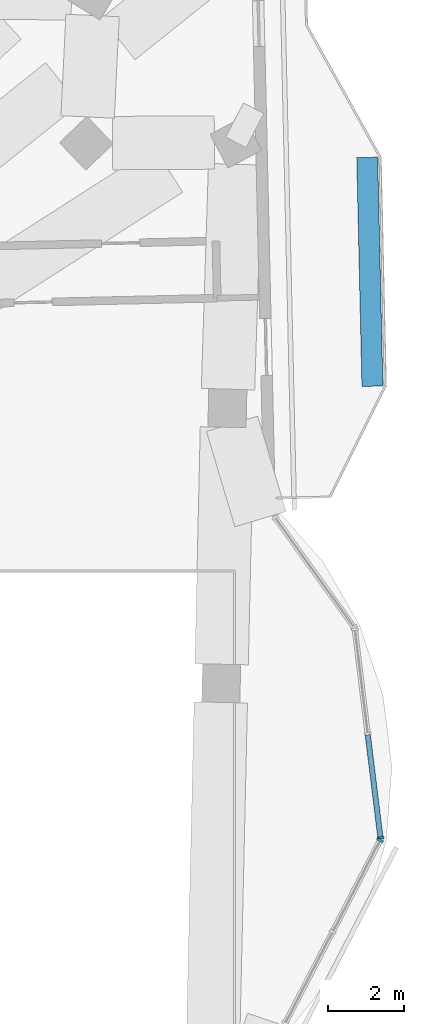
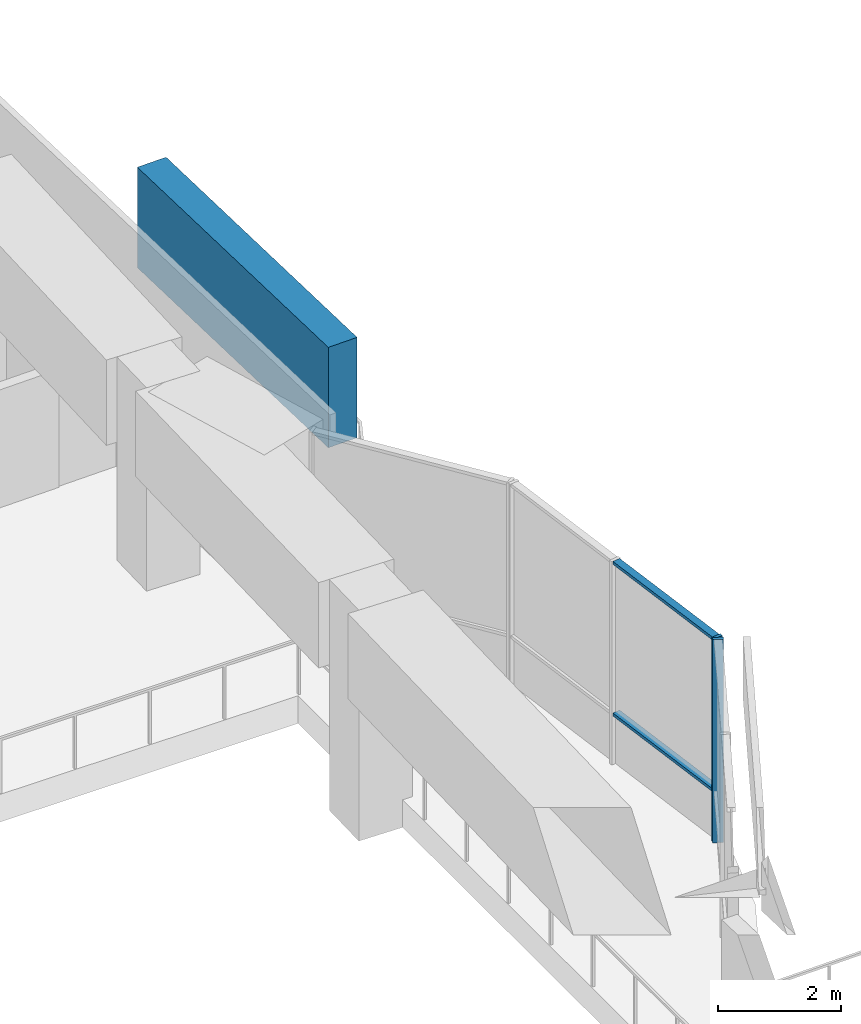
# One storey, part 9 of 21: 5 members, 2 elements without a shape of their own.
"""IFC4 building model written with IfcOpenShell, lengths in metres."""

from ifc_helpers import new_model, si_unit, direction, frame, origin, origin_2d, place, context, subcontext, project, spatial, rectangle, extrude, material, material_profile, profile_set, type_object, element, aggregate, save


model = new_model("IFC4")

# Units and contexts
model_context = context("Model", 3, precision=1e-05, world=origin(), true_north=direction((0.0, 1.0)))
body_context = subcontext(model_context, "Body", "Model", "MODEL_VIEW")
ifc_project = project(units=[si_unit("LENGTHUNIT", "METRE"), si_unit("AREAUNIT", "SQUARE_METRE"), si_unit("VOLUMEUNIT", "CUBIC_METRE"), si_unit("PLANEANGLEUNIT", "RADIAN"), si_unit("MASSUNIT", "GRAM", prefix="KILO")], contexts=[model_context])

# Site, building, storey
site_placement = place(None, origin())
site = spatial("IfcSite", under=ifc_project, at=site_placement, CompositionType="ELEMENT")
building_placement = place(site_placement, origin())
building = spatial("IfcBuilding", under=site, at=building_placement, Name="Mangrove Gate Tower", CompositionType="ELEMENT")
storey_placement = place(building_placement, frame((0.0, 0.0, 275.300048828125)))
storey = spatial("IfcBuildingStorey", under=building, at=storey_placement, Name="L70", CompositionType="ELEMENT", Elevation=275.300048828125)

# Member
ifc_material_1 = material(Name="Planting on aluminium trellis", Category="aluminium")
ifc_material_profile_1 = material_profile(ifc_material_1, rectangle(XDim=0.550048828125, YDim=2.0, at=origin_2d()))
ifc_profile_set_1 = profile_set([ifc_material_profile_1], Name="Planting on aluminium trellis")
member_type_1 = type_object("IfcMemberType", Name="Balcony greenery screen 550x2000", PredefinedType="USERDEFINED", material=ifc_profile_set_1)
member_1_placement = place(storey_placement, frame((33.548095703125, 12.3779296875, 1.800048828125), z_axis=(-0.022665943652, 0.999743094499, 0.0), x_axis=(-0.999743094499, -0.022665943652, 0.0)))
element("IfcMember", 1, at=member_1_placement, inside=storey, type_object=member_type_1, Name="GREEN SCREEN L70 E1.1", ObjectType="PLANTING", PredefinedType="USERDEFINED", context=body_context, shape_type="SweptSolid", body=[
    extrude(rectangle(XDim=0.550048828125, YDim=2.0, at=origin_2d()), origin(), (0.0, 0.0, 1.0), 5.99951171875),
])

# Curtain wall, member
ifc_material_2 = material(Name="Aluminium and glass curtain wall", Category="aluminium")
curtain_wall_type = type_object("IfcCurtainWallType", Name="Sky-lounge glazing wall", PredefinedType="NOTDEFINED", material=ifc_material_2)
curtain_wall_1_placement = place(storey_placement, origin())
curtain_wall_1 = element("IfcCurtainWall", 2, at=curtain_wall_1_placement, inside=storey, type_object=curtain_wall_type, Name="Sky-lounge glazing E1f1", PredefinedType="NOTDEFINED")
ifc_material_3 = material(Name="Aluminium alloy 6063-T6", Category="aluminium")
ifc_material_profile_2 = material_profile(ifc_material_3, rectangle(XDim=0.06005859375, YDim=0.179931640625, at=origin_2d()))
ifc_profile_set_2 = profile_set([ifc_material_profile_2], Name="Aluminium alloy 6063-T6")
member_type_2 = type_object("IfcMemberType", Name="Sky-lounge glazing mullion 60x180", PredefinedType="MULLION", material=ifc_profile_set_2)
member_2_placement = place(storey_placement, frame((33.750244140625, 0.4794921875, 0.0), z_axis=(0.0, 0.0, 1.0), x_axis=(0.460707139795, 0.887552213305, 0.0)))
member_2 = element("IfcMember", 3, at=member_2_placement, type_object=member_type_2, Name="CWK mullion 3", PredefinedType="MULLION", context=body_context, shape_type="SweptSolid", body=[
    extrude(rectangle(XDim=0.06005859375, YDim=0.179931640625, at=origin_2d()), origin(), (0.0, 0.0, 1.0), 4.050048828125),
])
aggregate(curtain_wall_1, [member_2])

# Curtain wall, members
curtain_wall_2_placement = place(storey_placement, origin())
curtain_wall_2 = element("IfcCurtainWall", 4, at=curtain_wall_2_placement, inside=storey, type_object=curtain_wall_type, Name="Sky-lounge glazing E1f2", PredefinedType="NOTDEFINED")
member_3_placement = place(storey_placement, frame((33.76025390625, 0.535888671875, 0.0), z_axis=(0.0, 0.0, 1.0), x_axis=(-0.122172285885, 0.992508908051, 0.0)))
member_3 = element("IfcMember", 5, at=member_3_placement, type_object=member_type_2, Name="CWK mullion 1", PredefinedType="MULLION", context=body_context, shape_type="SweptSolid", body=[
    extrude(rectangle(XDim=0.06005859375, YDim=0.179931640625, at=origin_2d()), origin(), (0.0, 0.0, 1.0), 4.050048828125),
])
ifc_material_4 = material(Name="Aluminium alloy 6063-T6", Category="aluminium")
ifc_material_profile_3 = material_profile(ifc_material_4, rectangle(XDim=0.06005859375, YDim=0.139892578125, at=origin_2d()))
ifc_profile_set_3 = profile_set([ifc_material_profile_3], Name="Aluminium alloy 6063-T6")
member_type_3 = type_object("IfcMemberType", Name="Sky-lounge glazing transom 60x140", PredefinedType="USERDEFINED", material=ifc_profile_set_3)
member_4_placement = place(storey_placement, frame((33.756591796875, 0.565673828125, 1.0), z_axis=(-0.122218313927, 0.992503241174, 0.0), x_axis=(0.0, 0.0, 1.0)))
member_4 = element("IfcMember", 6, at=member_4_placement, type_object=member_type_3, Name="CWK transom 1.2", ObjectType="TRANSOM", PredefinedType="USERDEFINED", context=body_context, shape_type="SweptSolid", body=[
    extrude(rectangle(XDim=0.06005859375, YDim=0.139892578125, at=origin_2d()), origin(), (0.0, 0.0, 1.0), 2.69677734375),
])
member_5_placement = place(storey_placement, frame((33.756591796875, 0.565673828125, 4.02001953125), z_axis=(-0.122218313927, 0.992503241174, 0.0), x_axis=(0.0, 0.0, 1.0)))
member_5 = element("IfcMember", 7, at=member_5_placement, type_object=member_type_3, Name="CWK transom 1.3", ObjectType="TRANSOM", PredefinedType="USERDEFINED", context=body_context, shape_type="SweptSolid", body=[
    extrude(rectangle(XDim=0.06005859375, YDim=0.139892578125, at=origin_2d()), origin(), (0.0, 0.0, 1.0), 2.69677734375),
])
aggregate(curtain_wall_2, [member_3, member_4, member_5])

save(model, "model.ifc")
